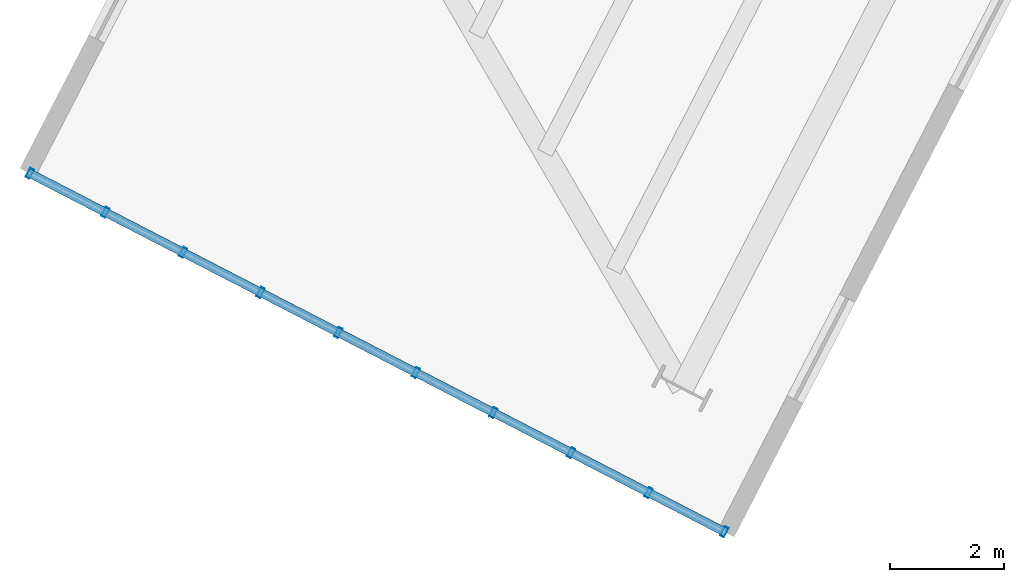
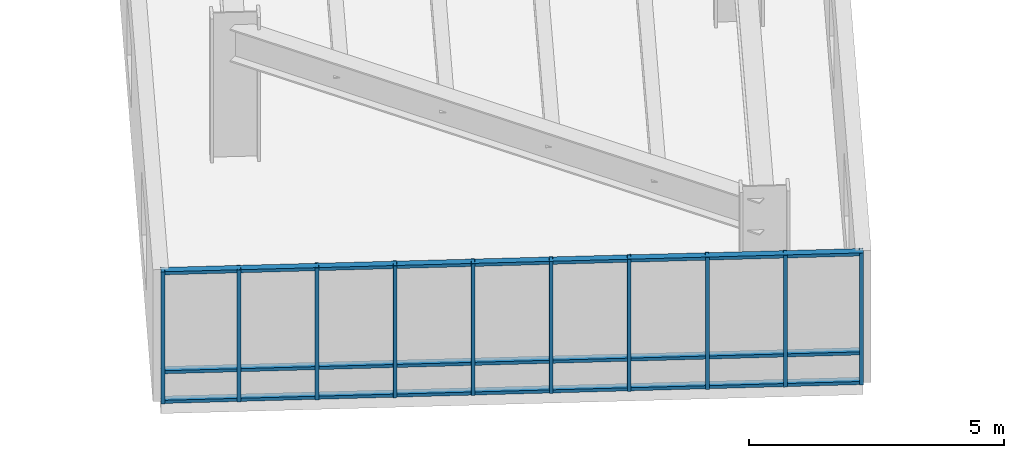
# One storey, part 2 of 9: 13 members, 1 element without a shape of its own.
"""IFC4 building model written with IfcOpenShell, lengths in metres."""

from ifc_helpers import new_model, si_unit, direction, frame, origin, origin_2d, place, context, subcontext, project, spatial, hollow_rectangle, extrude, material, layer, layer_set, material_profile, profile_set, type_object, element, aggregate, save


model = new_model("IFC4")

# Units and contexts
model_context = context("Model", 3, precision=1e-05, world=origin(), true_north=direction((0.0, 1.0)))
body_context = subcontext(model_context, "Body", "Model", "MODEL_VIEW")
ifc_project = project(units=[si_unit("LENGTHUNIT", "METRE"), si_unit("AREAUNIT", "SQUARE_METRE"), si_unit("VOLUMEUNIT", "CUBIC_METRE"), si_unit("PLANEANGLEUNIT", "RADIAN"), si_unit("MASSUNIT", "GRAM", prefix="KILO"), si_unit("THERMODYNAMICTEMPERATUREUNIT", "KELVIN"), si_unit("POWERUNIT", "WATT")], contexts=[model_context])

# Site, building, storey
site_placement = place(None, origin())
site = spatial("IfcSite", under=ifc_project, at=site_placement, CompositionType="ELEMENT")
building_placement = place(site_placement, origin())
building = spatial("IfcBuilding", under=site, at=building_placement, Name="Skarre Station Tower", CompositionType="ELEMENT")
storey_placement = place(building_placement, frame((0.0, 0.0, 174.0)))
storey = spatial("IfcBuildingStorey", under=building, at=storey_placement, Name="L47", CompositionType="ELEMENT", Elevation=174.0)

# Curtain wall, members
ifc_material_1 = material(Name="Thermally Broken Bronze-Anodized Aluminium & Triple Low-E Glass", Category="aluminium")
ifc_layer = layer(ifc_material_1, 0.2099609375, Name="Thermally Broken Bronze-Anodized Aluminium & Triple Low-E Glass")
ifc_layer_set = layer_set([ifc_layer], Name="Thermally Broken Bronze-Anodized Aluminium & Triple Low-E Glass")
curtain_wall_type = type_object("IfcCurtainWallType", Name="Sky-Bar Prow Structural Glazed Curtain Wall", PredefinedType="NOTDEFINED", material=ifc_layer_set)
curtain_wall_placement = place(storey_placement, origin())
curtain_wall = element("IfcCurtainWall", 1, at=curtain_wall_placement, inside=storey, type_object=curtain_wall_type, Name="L47 SB-4 Lakefront Prow Curtain Wall", PredefinedType="NOTDEFINED")
ifc_material_2 = material(Name="Anodized Aluminium 6063-T6", Category="aluminium")
ifc_material_profile_1 = material_profile(ifc_material_2, hollow_rectangle(XDim=0.074951171875, YDim=0.14990234375, WallThickness=0.00390625, at=origin_2d()), Name="Anodized Aluminium 6063-T6")
ifc_profile_set_1 = profile_set([ifc_material_profile_1], Name="Anodized Aluminium 6063-T6")
member_type_1 = type_object("IfcMemberType", Name="Curtain-Wall Secondary Transom 150x75", PredefinedType="USERDEFINED", material=ifc_profile_set_1)
member_1_placement = place(storey_placement, frame((22.139892578125, -11.3759765625, 0.0400390625), z_axis=(-0.888632519013, 0.458619936498, 0.0), x_axis=(0.0, 0.0, 1.0)))
member_1 = element("IfcMember", 2, at=member_1_placement, type_object=member_type_1, Name="L47 SB-4 Lakefront Prow Curtain Wall Transom 1", ObjectType="TRANSOM", PredefinedType="USERDEFINED", context=body_context, shape_type="SweptSolid", body=[
    extrude(hollow_rectangle(XDim=0.074951171875, YDim=0.14990234375, WallThickness=0.00390625, at=origin_2d()), origin(), (0.0, 0.0, 1.0), 13.7998046875),
])
member_2_placement = place(storey_placement, frame((22.139892578125, -11.3759765625, 0.75), z_axis=(-0.888632519013, 0.458619936498, 0.0), x_axis=(0.0, 0.0, 1.0)))
member_2 = element("IfcMember", 3, at=member_2_placement, type_object=member_type_1, Name="L47 SB-4 Lakefront Prow Curtain Wall Transom 2", ObjectType="TRANSOM", PredefinedType="USERDEFINED", context=body_context, shape_type="SweptSolid", body=[
    extrude(hollow_rectangle(XDim=0.074951171875, YDim=0.14990234375, WallThickness=0.00390625, at=origin_2d()), origin(), (0.0, 0.0, 1.0), 13.7998046875),
])
member_3_placement = place(storey_placement, frame((22.139892578125, -11.3759765625, 3.1201171875), z_axis=(-0.888632519013, 0.458619936498, 0.0), x_axis=(0.0, 0.0, 1.0)))
member_3 = element("IfcMember", 4, at=member_3_placement, type_object=member_type_1, Name="L47 SB-4 Lakefront Prow Curtain Wall Transom 3", ObjectType="TRANSOM", PredefinedType="USERDEFINED", context=body_context, shape_type="SweptSolid", body=[
    extrude(hollow_rectangle(XDim=0.074951171875, YDim=0.14990234375, WallThickness=0.00390625, at=origin_2d()), origin(), (0.0, 0.0, 1.0), 13.7998046875),
])
ifc_material_profile_2 = material_profile(ifc_material_2, hollow_rectangle(XDim=0.074951171875, YDim=0.179931640625, WallThickness=0.00390625, at=origin_2d()), Name="Anodized Aluminium 6063-T6")
ifc_profile_set_2 = profile_set([ifc_material_profile_2], Name="Anodized Aluminium 6063-T6")
member_type_2 = type_object("IfcMemberType", Name="Curtain-Wall Unitised Tower Mullion 180x75", PredefinedType="MULLION", material=ifc_profile_set_2)
member_4_placement = place(storey_placement, frame((22.10400390625, -11.35791015625, 0.0), z_axis=(0.0, 0.0, 1.0), x_axis=(-0.888625237464, 0.458634045118, 0.0)))
member_4 = element("IfcMember", 5, at=member_4_placement, type_object=member_type_2, Name="L47 SB-4 Lakefront Prow Curtain Wall Mullion 1", PredefinedType="MULLION", context=body_context, shape_type="SweptSolid", body=[
    extrude(hollow_rectangle(XDim=0.074951171875, YDim=0.179931640625, WallThickness=0.00390625, at=origin_2d()), origin(), (0.0, 0.0, 1.0), 3.159912109375),
])
member_5_placement = place(storey_placement, frame((20.777099609375, -10.673095703125, 0.0), z_axis=(0.0, 0.0, 1.0), x_axis=(-0.888625237464, 0.458634045118, 0.0)))
member_5 = element("IfcMember", 6, at=member_5_placement, type_object=member_type_2, Name="L47 SB-4 Lakefront Prow Curtain Wall Mullion 2", PredefinedType="MULLION", context=body_context, shape_type="SweptSolid", body=[
    extrude(hollow_rectangle(XDim=0.074951171875, YDim=0.179931640625, WallThickness=0.00390625, at=origin_2d()), origin(), (0.0, 0.0, 1.0), 3.159912109375),
])
member_6_placement = place(storey_placement, frame((19.4150390625, -9.969970703125, 0.0), z_axis=(0.0, 0.0, 1.0), x_axis=(-0.888625237464, 0.458634045118, 0.0)))
member_6 = element("IfcMember", 7, at=member_6_placement, type_object=member_type_2, Name="L47 SB-4 Lakefront Prow Curtain Wall Mullion 3", PredefinedType="MULLION", context=body_context, shape_type="SweptSolid", body=[
    extrude(hollow_rectangle(XDim=0.074951171875, YDim=0.179931640625, WallThickness=0.00390625, at=origin_2d()), origin(), (0.0, 0.0, 1.0), 3.159912109375),
])
member_7_placement = place(storey_placement, frame((18.052001953125, -9.26611328125, 0.0), z_axis=(0.0, 0.0, 1.0), x_axis=(-0.888625237464, 0.458634045118, 0.0)))
member_7 = element("IfcMember", 8, at=member_7_placement, type_object=member_type_2, Name="L47 SB-4 Lakefront Prow Curtain Wall Mullion 4", PredefinedType="MULLION", context=body_context, shape_type="SweptSolid", body=[
    extrude(hollow_rectangle(XDim=0.074951171875, YDim=0.179931640625, WallThickness=0.00390625, at=origin_2d()), origin(), (0.0, 0.0, 1.0), 3.159912109375),
])
member_8_placement = place(storey_placement, frame((16.68994140625, -8.56298828125, 0.0), z_axis=(0.0, 0.0, 1.0), x_axis=(-0.888625237464, 0.458634045118, 0.0)))
member_8 = element("IfcMember", 9, at=member_8_placement, type_object=member_type_2, Name="L47 SB-4 Lakefront Prow Curtain Wall Mullion 5", PredefinedType="MULLION", context=body_context, shape_type="SweptSolid", body=[
    extrude(hollow_rectangle(XDim=0.074951171875, YDim=0.179931640625, WallThickness=0.00390625, at=origin_2d()), origin(), (0.0, 0.0, 1.0), 3.159912109375),
])
member_9_placement = place(storey_placement, frame((15.326904296875, -7.860107421875, 0.0), z_axis=(0.0, 0.0, 1.0), x_axis=(-0.888625237464, 0.458634045118, 0.0)))
member_9 = element("IfcMember", 10, at=member_9_placement, type_object=member_type_2, Name="L47 SB-4 Lakefront Prow Curtain Wall Mullion 6", PredefinedType="MULLION", context=body_context, shape_type="SweptSolid", body=[
    extrude(hollow_rectangle(XDim=0.074951171875, YDim=0.179931640625, WallThickness=0.00390625, at=origin_2d()), origin(), (0.0, 0.0, 1.0), 3.159912109375),
])
member_10_placement = place(storey_placement, frame((13.965087890625, -7.156982421875, 0.0), z_axis=(0.0, 0.0, 1.0), x_axis=(-0.888625237464, 0.458634045118, 0.0)))
member_10 = element("IfcMember", 11, at=member_10_placement, type_object=member_type_2, Name="L47 SB-4 Lakefront Prow Curtain Wall Mullion 7", PredefinedType="MULLION", context=body_context, shape_type="SweptSolid", body=[
    extrude(hollow_rectangle(XDim=0.074951171875, YDim=0.179931640625, WallThickness=0.00390625, at=origin_2d()), origin(), (0.0, 0.0, 1.0), 3.159912109375),
])
member_11_placement = place(storey_placement, frame((12.60205078125, -6.452880859375, 0.0), z_axis=(0.0, 0.0, 1.0), x_axis=(-0.888625237464, 0.458634045118, 0.0)))
member_11 = element("IfcMember", 12, at=member_11_placement, type_object=member_type_2, Name="L47 SB-4 Lakefront Prow Curtain Wall Mullion 8", PredefinedType="MULLION", context=body_context, shape_type="SweptSolid", body=[
    extrude(hollow_rectangle(XDim=0.074951171875, YDim=0.179931640625, WallThickness=0.00390625, at=origin_2d()), origin(), (0.0, 0.0, 1.0), 3.159912109375),
])
member_12_placement = place(storey_placement, frame((11.239990234375, -5.75, 0.0), z_axis=(0.0, 0.0, 1.0), x_axis=(-0.888625237464, 0.458634045118, 0.0)))
member_12 = element("IfcMember", 13, at=member_12_placement, type_object=member_type_2, Name="L47 SB-4 Lakefront Prow Curtain Wall Mullion 9", PredefinedType="MULLION", context=body_context, shape_type="SweptSolid", body=[
    extrude(hollow_rectangle(XDim=0.074951171875, YDim=0.179931640625, WallThickness=0.00390625, at=origin_2d()), origin(), (0.0, 0.0, 1.0), 3.159912109375),
])
member_13_placement = place(storey_placement, frame((9.9130859375, -5.06494140625, 0.0), z_axis=(0.0, 0.0, 1.0), x_axis=(-0.888625237464, 0.458634045118, 0.0)))
member_13 = element("IfcMember", 14, at=member_13_placement, type_object=member_type_2, Name="L47 SB-4 Lakefront Prow Curtain Wall Mullion 10", PredefinedType="MULLION", context=body_context, shape_type="SweptSolid", body=[
    extrude(hollow_rectangle(XDim=0.074951171875, YDim=0.179931640625, WallThickness=0.00390625, at=origin_2d()), origin(), (0.0, 0.0, 1.0), 3.159912109375),
])
aggregate(curtain_wall, [member_4, member_5, member_6, member_7, member_8, member_9, member_10, member_11, member_12, member_13, member_1, member_2, member_3])

save(model, "model.ifc")
